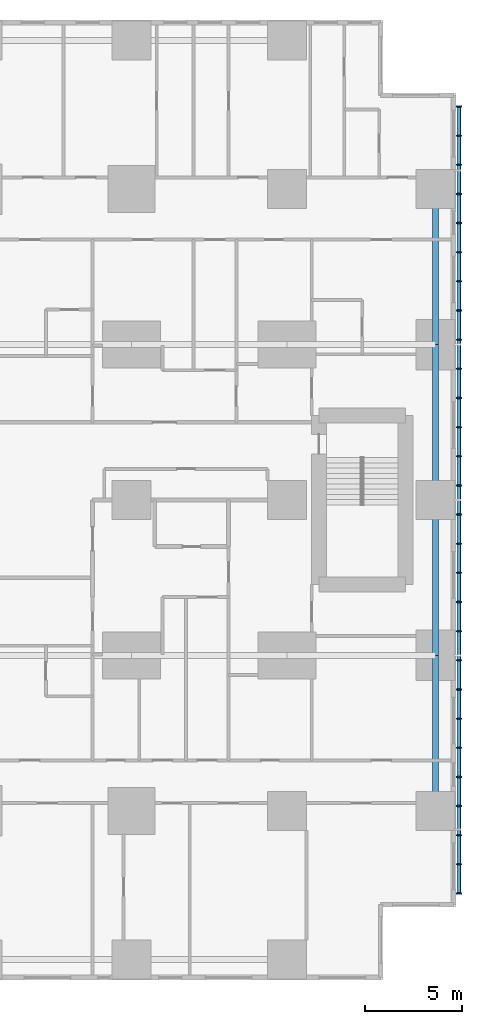
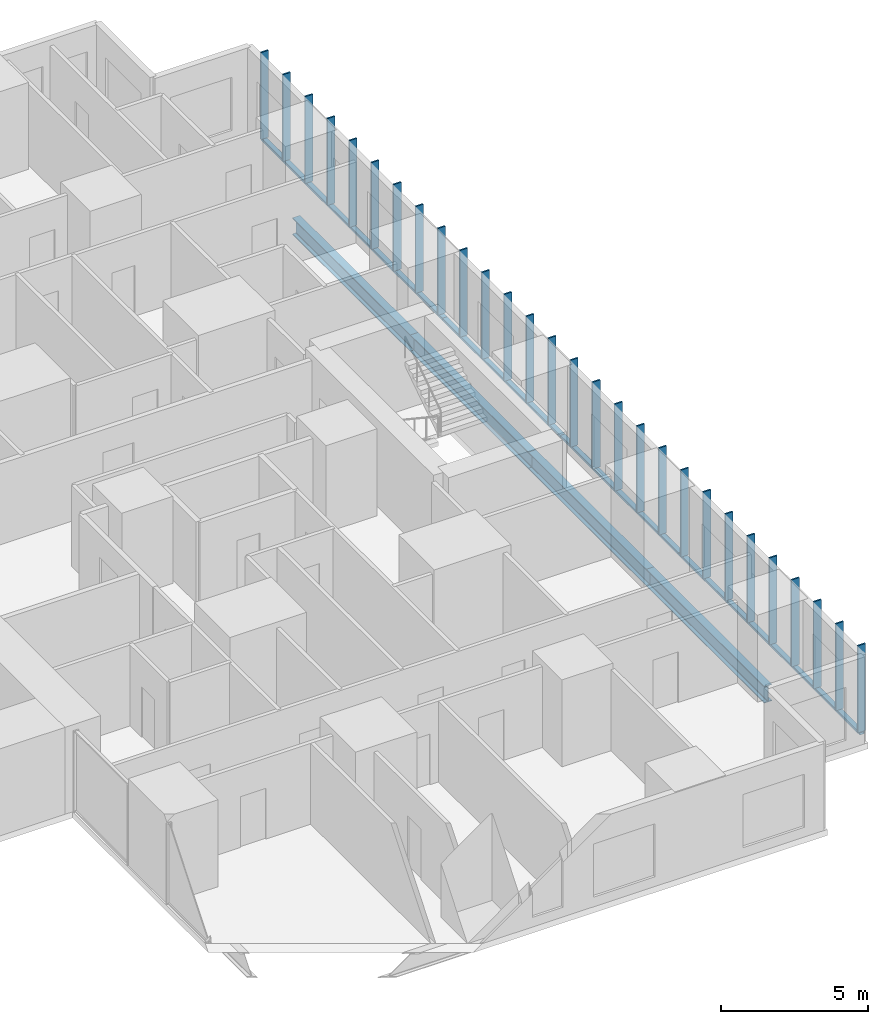
# One storey, part 6 of 20: 32 members, 4 beams.
"""IFC4 building model written with IfcOpenShell, lengths in metres."""

from ifc_helpers import new_model, si_unit, direction, frame, origin, origin_2d, place, context, subcontext, project, spatial, rectangle, hollow_rectangle, i_section, extrude, material, material_profile, profile_set, type_object, element, save


model = new_model("IFC4")

# Units and contexts
model_context = context("Model", 3, precision=1e-05, world=origin(), true_north=direction((0.0, 1.0)))
body_context = subcontext(model_context, "Body", "Model", "MODEL_VIEW")
ifc_project = project(units=[si_unit("LENGTHUNIT", "METRE"), si_unit("AREAUNIT", "SQUARE_METRE"), si_unit("VOLUMEUNIT", "CUBIC_METRE"), si_unit("PLANEANGLEUNIT", "RADIAN"), si_unit("MASSUNIT", "GRAM", prefix="KILO")], contexts=[model_context])

# Site, building, storey
site_placement = place(None, origin())
site = spatial("IfcSite", under=ifc_project, at=site_placement, CompositionType="ELEMENT")
building_placement = place(site_placement, origin())
building = spatial("IfcBuilding", under=site, at=building_placement, Name="Cleftline Residences", CompositionType="ELEMENT")
storey_placement = place(building_placement, frame((0.0, 0.0, 139.39990234375)))
storey = spatial("IfcBuildingStorey", under=building, at=storey_placement, Name="L36", CompositionType="ELEMENT", Elevation=139.39990234375)

# Members
ifc_material_1 = material(Name="Steel S355, hot-dip galvanised", Category="steel")
ifc_material_profile_1 = material_profile(ifc_material_1, hollow_rectangle(XDim=0.10009765625, YDim=0.199951171875, WallThickness=0.008056640625, InnerFilletRadius=0.008056640625, OuterFilletRadius=0.011962890625, at=origin_2d()))
ifc_profile_set_1 = profile_set([ifc_material_profile_1], Name="Steel S355, hot-dip galvanised")
member_type_1 = type_object("IfcMemberType", Name="BAGUETTE CARRIER RHS 200X100X8", PredefinedType="USERDEFINED", material=ifc_profile_set_1)
member_1_placement = place(storey_placement, frame((66.85009765625, 3.699951171875, -0.0498046875), z_axis=(0.0, 1.0, 0.0), x_axis=(0.0, 0.0, 1.0)))
element("IfcMember", 1, at=member_1_placement, inside=storey, type_object=member_type_1, Name="Baguette carrier", ObjectType="BAGUETTE CARRIER", PredefinedType="USERDEFINED", context=body_context, shape_type="SweptSolid", body=[
    extrude(hollow_rectangle(XDim=0.10009765625, YDim=0.199951171875, WallThickness=0.008056640625, InnerFilletRadius=0.008056640625, OuterFilletRadius=0.011962890625, at=origin_2d()), origin(), (0.0, 0.0, 1.0), 12.300048828125),
])
for number, where, z_axis, x_axis, name in (
    (2, (66.85009765625, 16.0, -0.0498046875), (0.0, 1.0, 0.0), (0.0, 0.0, 1.0), "Baguette carrier"),
    (3, (66.85009765625, 24.0, -0.0498046875), (0.0, 1.0, 0.0), (0.0, 0.0, 1.0), "Baguette carrier"),
):
    element("IfcMember", number, at=place(storey_placement, frame(where, z_axis=z_axis, x_axis=x_axis)), inside=storey, type_object=member_type_1, Name=name, ObjectType="BAGUETTE CARRIER", PredefinedType="USERDEFINED", context=body_context, shape_type="SweptSolid", body=[
        extrude(hollow_rectangle(XDim=0.10009765625, YDim=0.199951171875, WallThickness=0.008056640625, InnerFilletRadius=0.008056640625, OuterFilletRadius=0.011962890625, at=origin_2d()), origin(), (0.0, 0.0, 1.0), 8.0),
    ])
member_2_placement = place(storey_placement, frame((66.85009765625, 32.0, -0.0498046875), z_axis=(0.0, 1.0, 0.0), x_axis=(0.0, 0.0, 1.0)))
element("IfcMember", 4, at=member_2_placement, inside=storey, type_object=member_type_1, Name="Baguette carrier", ObjectType="BAGUETTE CARRIER", PredefinedType="USERDEFINED", context=body_context, shape_type="SweptSolid", body=[
    extrude(hollow_rectangle(XDim=0.10009765625, YDim=0.199951171875, WallThickness=0.008056640625, InnerFilletRadius=0.008056640625, OuterFilletRadius=0.011962890625, at=origin_2d()), origin(), (0.0, 0.0, 1.0), 12.300048828125),
])

# Beams
ifc_material_2 = material(Name="Steel S355", Category="steel")
ifc_material_profile_2 = material_profile(ifc_material_2, i_section(OverallWidth=0.300048828125, OverallDepth=0.699951171875, WebThickness=0.01708984375, FlangeThickness=0.031982421875, FilletRadius=0.027099609375, at=origin_2d()))
ifc_profile_set_2 = profile_set([ifc_material_profile_2], Name="Steel S355")
beam_type = type_object("IfcBeamType", Name="BEAM HEB 700", PredefinedType="BEAM", material=ifc_profile_set_2)
for number, where, z_axis, x_axis, name in (
    (5, (65.64990234375, 8.0, -0.599853515625), (0.0, 1.0, 0.0), (-1.0, 0.0, 0.0), "Edge beam"),
    (6, (65.64990234375, 16.0, -0.599853515625), (0.0, 1.0, 0.0), (-1.0, 0.0, 0.0), "Edge beam"),
    (7, (65.64990234375, 24.0, -0.599853515625), (0.0, 1.0, 0.0), (-1.0, 0.0, 0.0), "Edge beam"),
    (8, (65.64990234375, 32.0, -0.599853515625), (0.0, 1.0, 0.0), (-1.0, 0.0, 0.0), "Edge beam"),
):
    element("IfcBeam", number, at=place(storey_placement, frame(where, z_axis=z_axis, x_axis=x_axis)), inside=storey, type_object=beam_type, Name=name, PredefinedType="BEAM", context=body_context, shape_type="SweptSolid", body=[
        extrude(i_section(OverallWidth=0.300048828125, OverallDepth=0.699951171875, WebThickness=0.01708984375, FlangeThickness=0.031982421875, FilletRadius=0.027099609375, at=origin_2d()), origin(), (0.0, 0.0, 1.0), 8.0),
    ])

# Members
ifc_material_3 = material(Name="Extruded terracotta", Category="masonry")
ifc_material_profile_3 = material_profile(ifc_material_3, rectangle(XDim=0.06005859375, YDim=0.300048828125, at=origin_2d()))
ifc_profile_set_3 = profile_set([ifc_material_profile_3], Name="Extruded terracotta")
member_type_2 = type_object("IfcMemberType", Name="TERRACOTTA BAGUETTE 60X300", PredefinedType="USERDEFINED", material=ifc_profile_set_3)
for number, where, z_axis, x_axis, name in (
    (9, (66.85009765625, 3.75, 0.0), (0.0, 0.0, 1.0), (0.0, 1.0, 0.0), "Terracotta baguette"),
    (10, (66.85009765625, 5.25, 0.0), (0.0, 0.0, 1.0), (0.0, 1.0, 0.0), "Terracotta baguette"),
    (11, (66.85009765625, 6.75, 0.0), (0.0, 0.0, 1.0), (0.0, 1.0, 0.0), "Terracotta baguette"),
    (12, (66.85009765625, 8.25, 0.0), (0.0, 0.0, 1.0), (0.0, 1.0, 0.0), "Terracotta baguette"),
    (13, (66.85009765625, 9.75, 0.0), (0.0, 0.0, 1.0), (0.0, 1.0, 0.0), "Terracotta baguette"),
    (14, (66.85009765625, 11.25, 0.0), (0.0, 0.0, 1.0), (0.0, 1.0, 0.0), "Terracotta baguette"),
    (15, (66.85009765625, 12.75, 0.0), (0.0, 0.0, 1.0), (0.0, 1.0, 0.0), "Terracotta baguette"),
    (16, (66.85009765625, 14.25, 0.0), (0.0, 0.0, 1.0), (0.0, 1.0, 0.0), "Terracotta baguette"),
    (17, (66.85009765625, 15.75, 0.0), (0.0, 0.0, 1.0), (0.0, 1.0, 0.0), "Terracotta baguette"),
    (18, (66.85009765625, 17.25, 0.0), (0.0, 0.0, 1.0), (0.0, 1.0, 0.0), "Terracotta baguette"),
    (19, (66.85009765625, 18.75, 0.0), (0.0, 0.0, 1.0), (0.0, 1.0, 0.0), "Terracotta baguette"),
    (20, (66.85009765625, 20.25, 0.0), (0.0, 0.0, 1.0), (0.0, 1.0, 0.0), "Terracotta baguette"),
    (21, (66.85009765625, 21.75, 0.0), (0.0, 0.0, 1.0), (0.0, 1.0, 0.0), "Terracotta baguette"),
    (22, (66.85009765625, 23.25, 0.0), (0.0, 0.0, 1.0), (0.0, 1.0, 0.0), "Terracotta baguette"),
    (23, (66.85009765625, 24.75, 0.0), (0.0, 0.0, 1.0), (0.0, 1.0, 0.0), "Terracotta baguette"),
    (24, (66.85009765625, 26.25, 0.0), (0.0, 0.0, 1.0), (0.0, 1.0, 0.0), "Terracotta baguette"),
    (25, (66.85009765625, 27.75, 0.0), (0.0, 0.0, 1.0), (0.0, 1.0, 0.0), "Terracotta baguette"),
    (26, (66.85009765625, 29.25, 0.0), (0.0, 0.0, 1.0), (0.0, 1.0, 0.0), "Terracotta baguette"),
    (27, (66.85009765625, 30.75, 0.0), (0.0, 0.0, 1.0), (0.0, 1.0, 0.0), "Terracotta baguette"),
    (28, (66.85009765625, 32.25, 0.0), (0.0, 0.0, 1.0), (0.0, 1.0, 0.0), "Terracotta baguette"),
    (29, (66.85009765625, 33.75, 0.0), (0.0, 0.0, 1.0), (0.0, 1.0, 0.0), "Terracotta baguette"),
    (30, (66.85009765625, 35.25, 0.0), (0.0, 0.0, 1.0), (0.0, 1.0, 0.0), "Terracotta baguette"),
    (31, (66.85009765625, 36.75, 0.0), (0.0, 0.0, 1.0), (0.0, 1.0, 0.0), "Terracotta baguette"),
    (32, (66.85009765625, 38.25, 0.0), (0.0, 0.0, 1.0), (0.0, 1.0, 0.0), "Terracotta baguette"),
    (33, (66.85009765625, 39.75, 0.0), (0.0, 0.0, 1.0), (0.0, 1.0, 0.0), "Terracotta baguette"),
    (34, (66.85009765625, 41.25, 0.0), (0.0, 0.0, 1.0), (0.0, 1.0, 0.0), "Terracotta baguette"),
    (35, (66.85009765625, 42.75, 0.0), (0.0, 0.0, 1.0), (0.0, 1.0, 0.0), "Terracotta baguette"),
    (36, (66.85009765625, 44.25, 0.0), (0.0, 0.0, 1.0), (0.0, 1.0, 0.0), "Terracotta baguette"),
):
    element("IfcMember", number, at=place(storey_placement, frame(where, z_axis=z_axis, x_axis=x_axis)), inside=storey, type_object=member_type_2, Name=name, ObjectType="BAGUETTE", PredefinedType="USERDEFINED", context=body_context, shape_type="SweptSolid", body=[
        extrude(rectangle(XDim=0.06005859375, YDim=0.300048828125, at=origin_2d()), origin(), (0.0, 0.0, 1.0), 3.60009765625),
    ])

save(model, "model.ifc")
